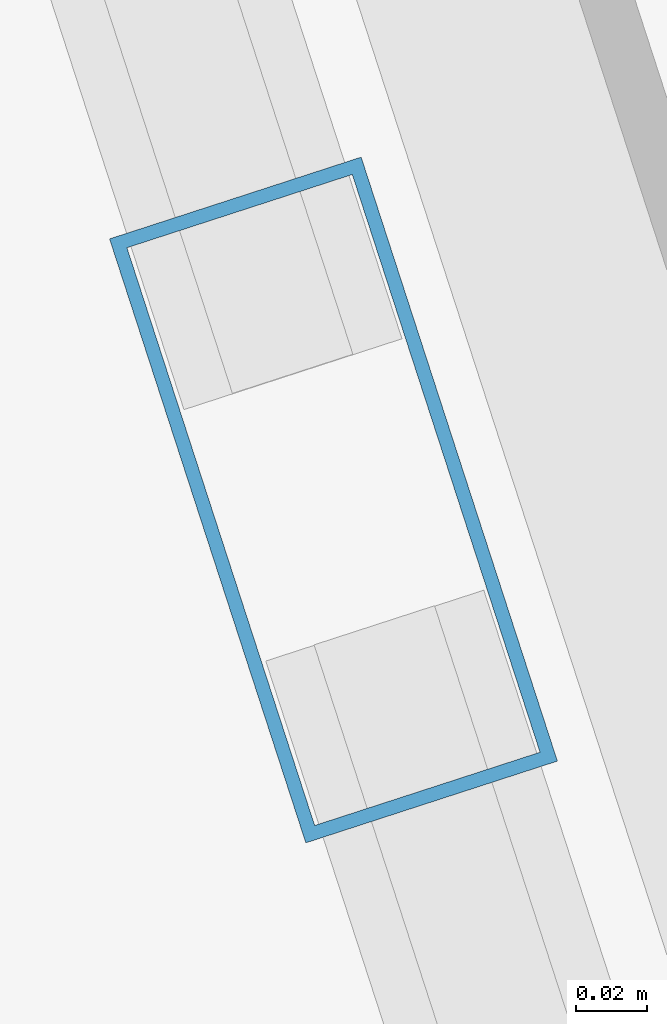
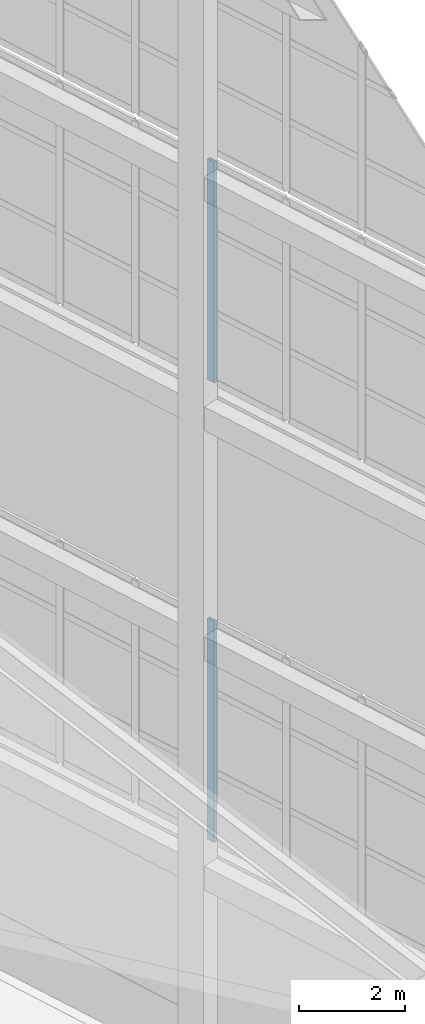
# One storey, part 34 of 56: 2 members, 2 elements without a shape of their own.
"""IFC4 building model written with IfcOpenShell, lengths in metres."""

from ifc_helpers import new_model, si_unit, direction, frame, origin, origin_2d, place, context, subcontext, project, spatial, hollow_rectangle, extrude, material, layer, layer_set, material_profile, profile_set, type_object, element, aggregate, save


model = new_model("IFC4")

# Units and contexts
model_context = context("Model", 3, precision=1e-05, world=origin(), true_north=direction((0.0, 1.0)))
body_context = subcontext(model_context, "Body", "Model", "MODEL_VIEW")
ifc_project = project(units=[si_unit("LENGTHUNIT", "METRE"), si_unit("AREAUNIT", "SQUARE_METRE"), si_unit("VOLUMEUNIT", "CUBIC_METRE"), si_unit("PLANEANGLEUNIT", "RADIAN"), si_unit("MASSUNIT", "GRAM", prefix="KILO")], contexts=[model_context])

# Site, building, storey
site_placement = place(None, origin())
site = spatial("IfcSite", under=ifc_project, at=site_placement, CompositionType="ELEMENT")
building_placement = place(site_placement, origin())
building = spatial("IfcBuilding", under=site, at=building_placement, Name="Qiaolan Cultural Towers", CompositionType="ELEMENT")
storey_placement = place(building_placement, frame((0.0, 0.0, 250.39990234375)))
storey = spatial("IfcBuildingStorey", under=building, at=storey_placement, Name="L68", CompositionType="ELEMENT", Elevation=250.39990234375)

# Curtain wall, member
ifc_material_1 = material(Name="Unitized Anodized Aluminium Curtain Wall System", Category="aluminium")
ifc_layer = layer(ifc_material_1, 0.199951171875)
ifc_layer_set = layer_set([ifc_layer], Name="Unitized Anodized Aluminium Curtain Wall System")
curtain_wall_type = type_object("IfcCurtainWallType", Name="CWS-06", PredefinedType="NOTDEFINED", material=ifc_layer_set)
curtain_wall_1_placement = place(storey_placement, origin())
curtain_wall_1 = element("IfcCurtainWall", 1, at=curtain_wall_1_placement, inside=storey, type_object=curtain_wall_type, Name="T2 Crown Tier 2 Fritted Screen Curtain Wall 3", PredefinedType="NOTDEFINED")
ifc_material_2 = material(Name="Extruded Aluminium 6063-T6", Category="aluminium")
ifc_material_profile = material_profile(ifc_material_2, hollow_rectangle(XDim=0.074951171875, YDim=0.179931640625, WallThickness=0.00390625, at=origin_2d()), Name="CWM-180x75x4")
ifc_profile_set = profile_set([ifc_material_profile], Name="Extruded Aluminium 6063-T6")
member_type = type_object("IfcMemberType", Name="CWS-06-MUL", PredefinedType="MULLION", material=ifc_profile_set)
member_1_placement = place(storey_placement, frame((103.172119140625, 38.27978515625, 5.400146484375), z_axis=(0.0, 0.0, 1.0), x_axis=(-0.951056535512, -0.309016935232, 0.0)))
member_1 = element("IfcMember", 2, at=member_1_placement, type_object=member_type, Name="CW-6 mullion 4", PredefinedType="MULLION", context=body_context, shape_type="SweptSolid", body=[
    extrude(hollow_rectangle(XDim=0.074951171875, YDim=0.179931640625, WallThickness=0.00390625, at=origin_2d()), origin(), (0.0, 0.0, 1.0), 5.099853515625),
])
aggregate(curtain_wall_1, [member_1])

curtain_wall_2_placement = place(storey_placement, origin())
curtain_wall_2 = element("IfcCurtainWall", 3, at=curtain_wall_2_placement, inside=storey, type_object=curtain_wall_type, Name="T2 Crown Tier 4 Fritted Screen Curtain Wall 3", PredefinedType="NOTDEFINED")
member_2_placement = place(storey_placement, frame((103.172119140625, 38.27978515625, 16.0), z_axis=(0.0, 0.0, 1.0), x_axis=(-0.951056535512, -0.309016935232, 0.0)))
member_2 = element("IfcMember", 4, at=member_2_placement, type_object=member_type, Name="CW-6 mullion 4", PredefinedType="MULLION", context=body_context, shape_type="SweptSolid", body=[
    extrude(hollow_rectangle(XDim=0.074951171875, YDim=0.179931640625, WallThickness=0.00390625, at=origin_2d()), origin(), (0.0, 0.0, 1.0), 5.10009765625),
])
aggregate(curtain_wall_2, [member_2])

save(model, "model.ifc")
